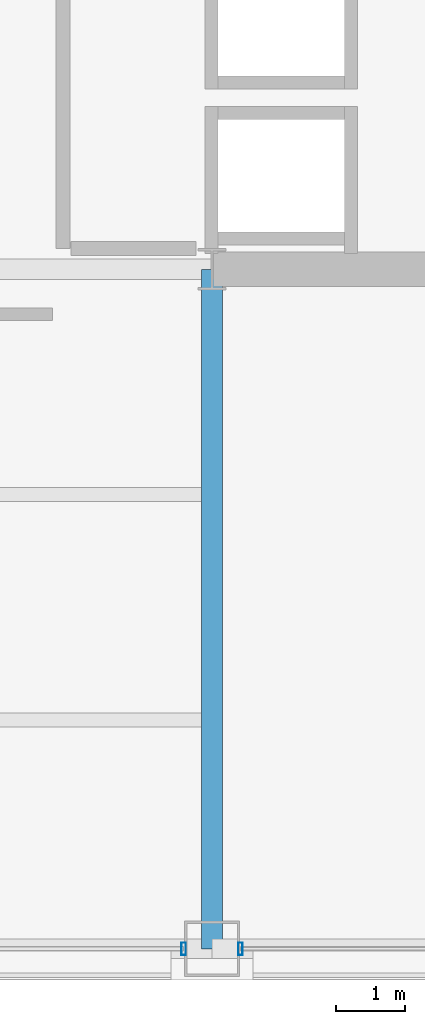
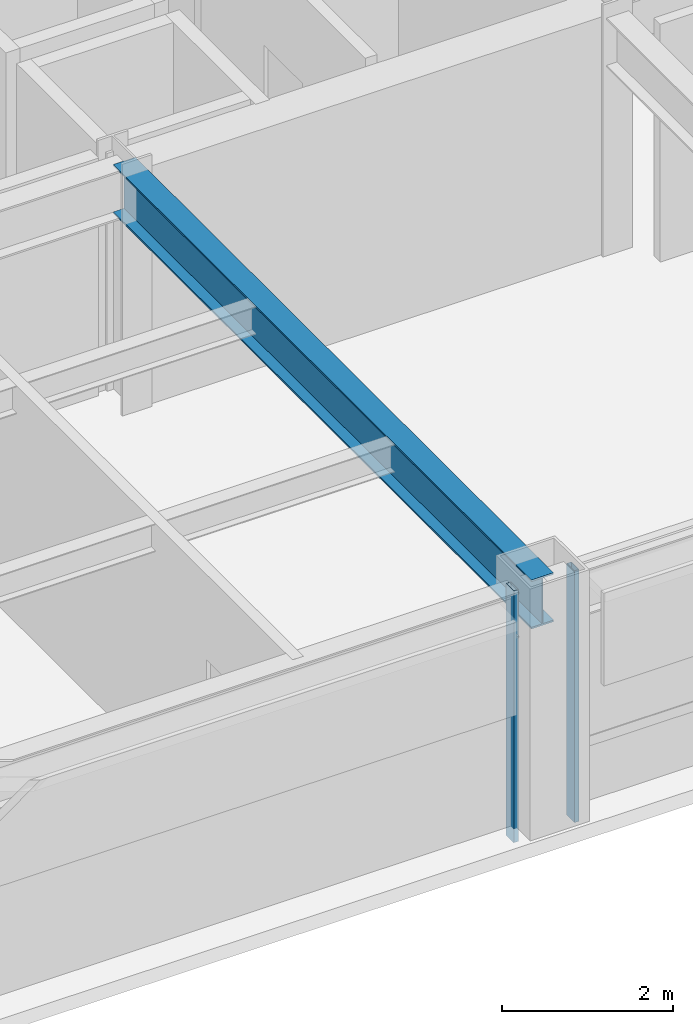
# One storey, part 6 of 29: 2 members, 1 beam, 2 elements without a shape of their own.
"""IFC4 building model written with IfcOpenShell, lengths in metres."""

from ifc_helpers import new_model, si_unit, direction, frame, origin, origin_2d, place, context, subcontext, project, spatial, hollow_rectangle, i_section, extrude, material, layer, layer_set, material_profile, profile_set, type_object, element, aggregate, save


model = new_model("IFC4")

# Units and contexts
model_context = context("Model", 3, precision=1e-05, world=origin(), true_north=direction((0.0, 1.0)))
body_context = subcontext(model_context, "Body", "Model", "MODEL_VIEW")
ifc_project = project(units=[si_unit("LENGTHUNIT", "METRE"), si_unit("AREAUNIT", "SQUARE_METRE"), si_unit("VOLUMEUNIT", "CUBIC_METRE"), si_unit("PLANEANGLEUNIT", "RADIAN"), si_unit("MASSUNIT", "GRAM", prefix="KILO")], contexts=[model_context])

# Site, building, storey
site_placement = place(None, origin())
site = spatial("IfcSite", under=ifc_project, at=site_placement, CompositionType="ELEMENT")
building_placement = place(site_placement, origin())
building = spatial("IfcBuilding", under=site, at=building_placement, Name="Brelmoor Portico Tower", CompositionType="ELEMENT")
storey_placement = place(building_placement, frame((0.0, 0.0, 138.60009765625)))
storey = spatial("IfcBuildingStorey", under=building, at=storey_placement, Name="L36", CompositionType="ELEMENT", Elevation=138.60009765625)

# Beam
ifc_material_1 = material(Name="Steel Q355B", Category="steel")
ifc_material_profile_1 = material_profile(ifc_material_1, i_section(OverallWidth=0.300048828125, OverallDepth=0.699951171875, WebThickness=0.012939453125, FlangeThickness=0.02392578125, at=origin_2d()), Name="HN 700x300x13x24")
ifc_profile_set_1 = profile_set([ifc_material_profile_1], Name="Steel Q355B")
beam_type = type_object("IfcBeamType", Name="BM-PG-700", PredefinedType="BEAM", material=ifc_profile_set_1)
beam_placement = place(storey_placement, frame((8.050048828125, -19.550048828125, 3.0498046875), z_axis=(0.0, 1.0, 0.0), x_axis=(-1.0, 0.0, 0.0)))
element("IfcBeam", 1, at=beam_placement, inside=storey, type_object=beam_type, Name="L36 Primary Floor Girder PG-08", PredefinedType="BEAM", context=body_context, shape_type="SweptSolid", body=[
    extrude(i_section(OverallWidth=0.300048828125, OverallDepth=0.699951171875, WebThickness=0.012939453125, FlangeThickness=0.02392578125, at=origin_2d()), origin(), (0.0, 0.0, 1.0), 9.800048828125),
])

# Curtain wall, member
ifc_material_2 = material(Name="Anodised Aluminium Alloy 6063-T6", Category="aluminium")
ifc_layer_1 = layer(ifc_material_2, 0.179931640625)
ifc_layer_set_1 = layer_set([ifc_layer_1], Name="Anodised Aluminium Alloy 6063-T6")
curtain_wall_type_1 = type_object("IfcCurtainWallType", Name="CW-TOWER-Z2-XB", PredefinedType="NOTDEFINED", material=ifc_layer_set_1)
curtain_wall_1_placement = place(storey_placement, origin())
curtain_wall_1 = element("IfcCurtainWall", 2, at=curtain_wall_1_placement, inside=storey, type_object=curtain_wall_type_1, Name="L36 Curtain Wall CW-L36-01-3", PredefinedType="NOTDEFINED")
ifc_material_profile_2 = material_profile(ifc_material_2, hollow_rectangle(XDim=0.06494140625, YDim=0.179931640625, WallThickness=0.00390625, at=origin_2d()), Name="ALU MULLION 65x180")
ifc_profile_set_2 = profile_set([ifc_material_profile_2], Name="Anodised Aluminium Alloy 6063-T6")
member_type = type_object("IfcMemberType", Name="MB-CW-MULL-180", PredefinedType="MULLION", material=ifc_profile_set_2)
member_1_placement = place(storey_placement, frame((7.639892578125, -19.550048828125, -0.2001953125), z_axis=(0.0, 0.0, 1.0), x_axis=(1.0, 0.0, 0.0)))
member_1 = element("IfcMember", 3, at=member_1_placement, type_object=member_type, Name="CW-L36-01-3 Mullion 01", PredefinedType="MULLION", context=body_context, shape_type="SweptSolid", body=[
    extrude(hollow_rectangle(XDim=0.06494140625, YDim=0.179931640625, WallThickness=0.00390625, at=origin_2d()), origin(), (0.0, 0.0, 1.0), 3.60009765625),
])
aggregate(curtain_wall_1, [member_1])

ifc_layer_2 = layer(ifc_material_2, 0.179931640625)
ifc_layer_set_2 = layer_set([ifc_layer_2], Name="Anodised Aluminium Alloy 6063-T6")
curtain_wall_type_2 = type_object("IfcCurtainWallType", Name="CW-TOWER-Z2", PredefinedType="NOTDEFINED", material=ifc_layer_set_2)
curtain_wall_2_placement = place(storey_placement, origin())
curtain_wall_2 = element("IfcCurtainWall", 4, at=curtain_wall_2_placement, inside=storey, type_object=curtain_wall_type_2, Name="L36 Curtain Wall CW-L36-01-4", PredefinedType="NOTDEFINED")
member_2_placement = place(storey_placement, frame((8.4599609375, -19.550048828125, -0.2001953125), z_axis=(0.0, 0.0, 1.0), x_axis=(1.0, 0.0, 0.0)))
member_2 = element("IfcMember", 5, at=member_2_placement, type_object=member_type, Name="CW-L36-01-4 Mullion 00", PredefinedType="MULLION", context=body_context, shape_type="SweptSolid", body=[
    extrude(hollow_rectangle(XDim=0.06494140625, YDim=0.179931640625, WallThickness=0.00390625, at=origin_2d()), origin(), (0.0, 0.0, 1.0), 3.60009765625),
])
aggregate(curtain_wall_2, [member_2])

save(model, "model.ifc")
